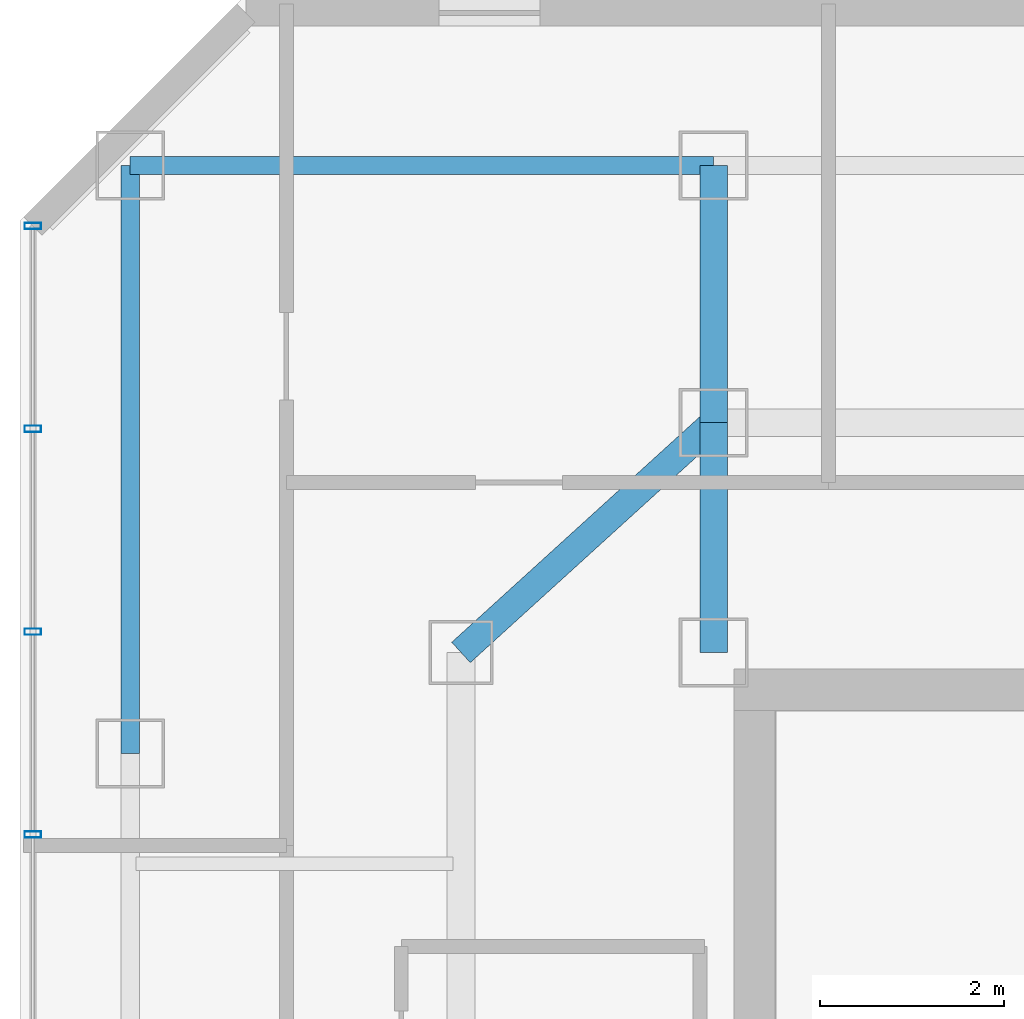
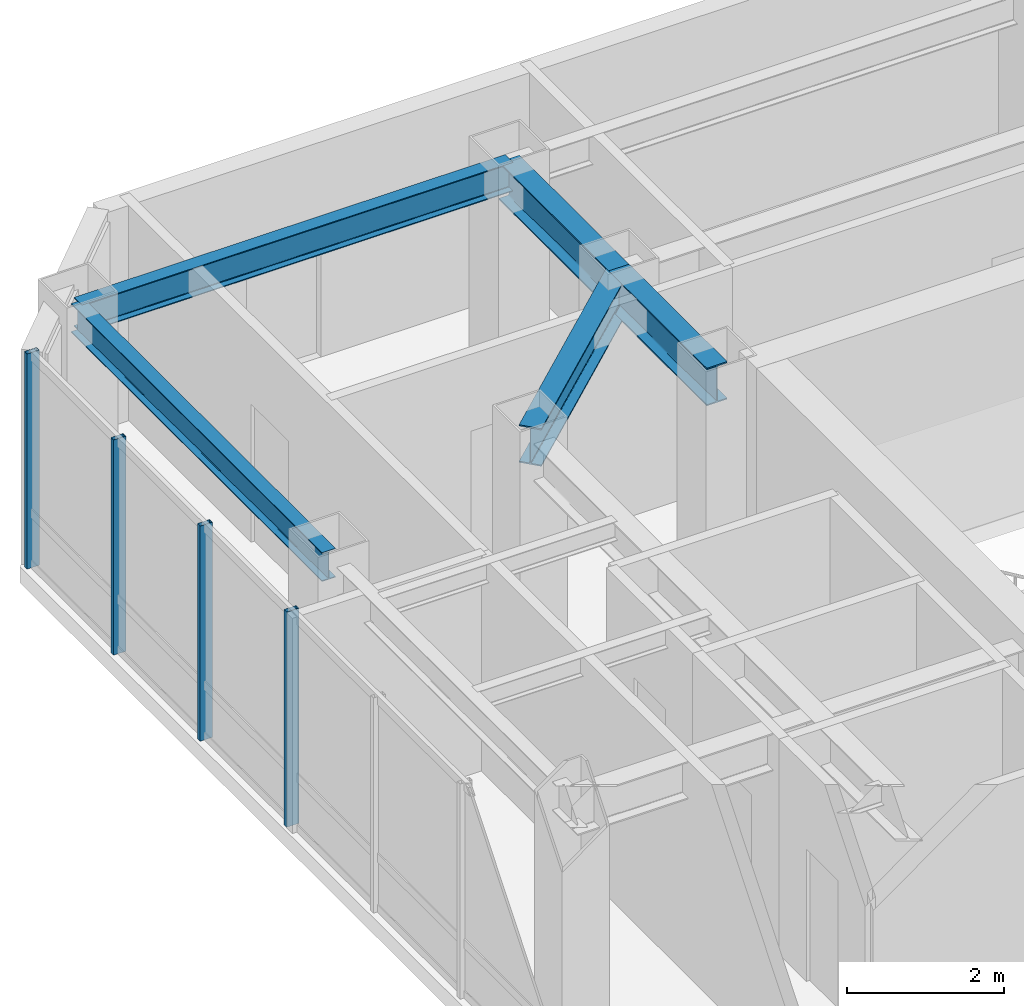
# One storey, part 15 of 24: 5 beams, 4 members, 1 element without a shape of its own.
"""IFC4 building model written with IfcOpenShell, lengths in metres."""

from ifc_helpers import new_model, si_unit, direction, frame, origin, origin_2d, place, context, subcontext, project, spatial, hollow_rectangle, i_section, extrude, material, layer, layer_set, material_profile, profile_set, type_object, element, aggregate, save


model = new_model("IFC4")

# Units and contexts
model_context = context("Model", 3, precision=1e-05, world=origin(), true_north=direction((0.0, 1.0)))
body_context = subcontext(model_context, "Body", "Model", "MODEL_VIEW")
ifc_project = project(units=[si_unit("LENGTHUNIT", "METRE"), si_unit("AREAUNIT", "SQUARE_METRE"), si_unit("VOLUMEUNIT", "CUBIC_METRE"), si_unit("PLANEANGLEUNIT", "RADIAN"), si_unit("MASSUNIT", "GRAM", prefix="KILO")], contexts=[model_context])

# Site, building, storey
site_placement = place(None, origin())
site = spatial("IfcSite", under=ifc_project, at=site_placement, CompositionType="ELEMENT")
building_placement = place(site_placement, origin())
building = spatial("IfcBuilding", under=site, at=building_placement, Name="Hatsunagi Terrace Concourse", CompositionType="ELEMENT")
storey_placement = place(building_placement, frame((0.0, 0.0, 202.35009765625)))
storey = spatial("IfcBuildingStorey", under=building, at=storey_placement, Name="L53", CompositionType="ELEMENT", Elevation=202.35009765625)

# Curtain wall, members
ifc_material_1 = material(Name="Anodised Aluminium Alloy 6063-T5", Category="aluminium")
ifc_layer = layer(ifc_material_1, 0.199951171875)
ifc_layer_set = layer_set([ifc_layer], Name="OfficeZone2_CW04")
curtain_wall_type = type_object("IfcCurtainWallType", Name="OfficeZone2_CW04", PredefinedType="NOTDEFINED", material=ifc_layer_set)
curtain_wall_placement = place(storey_placement, origin())
curtain_wall = element("IfcCurtainWall", 1, at=curtain_wall_placement, inside=storey, type_object=curtain_wall_type, Name="Unitised Curtain Wall CW-04 CW-L53-08", PredefinedType="NOTDEFINED")
ifc_material_2 = material(Name="Anodised Aluminium Alloy 6063-T5", Category="aluminium")
ifc_material_profile_1 = material_profile(ifc_material_2, hollow_rectangle(XDim=0.070068359375, YDim=0.179931640625, WallThickness=0.00390625, at=origin_2d()), Name="ALU-MUL-180x70x4")
ifc_profile_set_1 = profile_set([ifc_material_profile_1], Name="Anodised Aluminium Alloy 6063-T5")
member_type = type_object("IfcMemberType", Name="CurtainWallMullion_180x70", PredefinedType="MULLION", material=ifc_profile_set_1)
member_1_placement = place(storey_placement, frame((18.139892578125, 41.31689453125, 0.0), z_axis=(0.0, 0.0, 1.0), x_axis=(0.0, 1.0, 0.0)))
member_1 = element("IfcMember", 2, at=member_1_placement, type_object=member_type, Name="Curtain Wall Mullion MUL-02", PredefinedType="MULLION", context=body_context, shape_type="SweptSolid", body=[
    extrude(hollow_rectangle(XDim=0.070068359375, YDim=0.179931640625, WallThickness=0.00390625, at=origin_2d()), origin(), (0.0, 0.0, 1.0), 3.349853515625),
])
member_2_placement = place(storey_placement, frame((18.139892578125, 43.52490234375, 0.0), z_axis=(0.0, 0.0, 1.0), x_axis=(0.0, 1.0, 0.0)))
member_2 = element("IfcMember", 3, at=member_2_placement, type_object=member_type, Name="Curtain Wall Mullion MUL-02", PredefinedType="MULLION", context=body_context, shape_type="SweptSolid", body=[
    extrude(hollow_rectangle(XDim=0.070068359375, YDim=0.179931640625, WallThickness=0.00390625, at=origin_2d()), origin(), (0.0, 0.0, 1.0), 3.349853515625),
])
member_3_placement = place(storey_placement, frame((18.139892578125, 45.73388671875, 0.0), z_axis=(0.0, 0.0, 1.0), x_axis=(0.0, 1.0, 0.0)))
member_3 = element("IfcMember", 4, at=member_3_placement, type_object=member_type, Name="Curtain Wall Mullion MUL-02", PredefinedType="MULLION", context=body_context, shape_type="SweptSolid", body=[
    extrude(hollow_rectangle(XDim=0.070068359375, YDim=0.179931640625, WallThickness=0.00390625, at=origin_2d()), origin(), (0.0, 0.0, 1.0), 3.349853515625),
])
member_4_placement = place(storey_placement, frame((18.139892578125, 47.94189453125, 0.0), z_axis=(0.0, 0.0, 1.0), x_axis=(0.0, 1.0, 0.0)))
member_4 = element("IfcMember", 5, at=member_4_placement, type_object=member_type, Name="Curtain Wall Mullion MUL-02", PredefinedType="MULLION", context=body_context, shape_type="SweptSolid", body=[
    extrude(hollow_rectangle(XDim=0.070068359375, YDim=0.179931640625, WallThickness=0.00390625, at=origin_2d()), origin(), (0.0, 0.0, 1.0), 3.349853515625),
])
aggregate(curtain_wall, [member_1, member_2, member_3, member_4])

# Beams
ifc_material_3 = material(Name="Steel SN490B", Category="steel")
ifc_material_profile_2 = material_profile(ifc_material_3, i_section(OverallWidth=0.300048828125, OverallDepth=0.587890625, WebThickness=0.011962890625, FlangeThickness=0.02001953125, FilletRadius=0.01806640625, at=origin_2d()), Name="H-588x300x12x20")
ifc_profile_set_2 = profile_set([ifc_material_profile_2], Name="Steel SN490B")
beam_type_1 = type_object("IfcBeamType", Name="OfficeHighGirder_H_588x300", PredefinedType="BEAM", material=ifc_profile_set_2)
beam_1_placement = place(storey_placement, frame((25.550048828125, 43.300048828125, 3.055908203125), z_axis=(0.0, 1.0, 0.0), x_axis=(-1.0, 0.0, 0.0)))
element("IfcBeam", 6, at=beam_1_placement, inside=storey, type_object=beam_type_1, Name="Beam G-06 BM-L53-CN1", PredefinedType="BEAM", context=body_context, shape_type="SweptSolid", body=[
    extrude(i_section(OverallWidth=0.300048828125, OverallDepth=0.587890625, WebThickness=0.011962890625, FlangeThickness=0.02001953125, FilletRadius=0.01806640625, at=origin_2d()), origin(), (0.0, 0.0, 1.0), 2.5),
])
beam_2_placement = place(storey_placement, frame((25.550048828125, 45.800048828125, 3.055908203125), z_axis=(0.0, 1.0, 0.0), x_axis=(-1.0, 0.0, 0.0)))
element("IfcBeam", 7, at=beam_2_placement, inside=storey, type_object=beam_type_1, Name="Beam G-06 BM-L53-KN-WN4", PredefinedType="BEAM", context=body_context, shape_type="SweptSolid", body=[
    extrude(i_section(OverallWidth=0.300048828125, OverallDepth=0.587890625, WebThickness=0.011962890625, FlangeThickness=0.02001953125, FilletRadius=0.01806640625, at=origin_2d()), origin(), (0.0, 0.0, 1.0), 2.800048828125),
])
beam_3_placement = place(storey_placement, frame((22.800048828125, 43.300048828125, 3.055908203125), z_axis=(0.739940073396, 0.672672793996, 0.0), x_axis=(-0.672672793996, 0.739940073396, 0.0)))
element("IfcBeam", 8, at=beam_3_placement, inside=storey, type_object=beam_type_1, Name="Beam G-06 BM-L53-CWEW-N", PredefinedType="BEAM", context=body_context, shape_type="SweptSolid", body=[
    extrude(i_section(OverallWidth=0.300048828125, OverallDepth=0.587890625, WebThickness=0.011962890625, FlangeThickness=0.02001953125, FilletRadius=0.01806640625, at=origin_2d()), origin(), (0.0, 0.0, 1.0), 3.716552734375),
])
ifc_material_4 = material(Name="Steel SN490B", Category="steel")
ifc_material_profile_3 = material_profile(ifc_material_4, i_section(OverallWidth=0.199951171875, OverallDepth=0.449951171875, WebThickness=0.009033203125, FlangeThickness=0.013916015625, FilletRadius=0.01611328125, at=origin_2d()), Name="H-450x200x9x14")
ifc_profile_set_3 = profile_set([ifc_material_profile_3], Name="Steel SN490B")
beam_type_2 = type_object("IfcBeamType", Name="PerimeterSpandrel_H_450x200", PredefinedType="SPANDREL", material=ifc_profile_set_3)
beam_4_placement = place(storey_placement, frame((19.199951171875, 48.60009765625, 3.125), z_axis=(1.0, 0.0, 0.0), x_axis=(0.0, 1.0, 0.0)))
element("IfcBeam", 9, at=beam_4_placement, inside=storey, type_object=beam_type_2, Name="Beam SP-02 BM-L53-WN-19", PredefinedType="SPANDREL", context=body_context, shape_type="SweptSolid", body=[
    extrude(i_section(OverallWidth=0.199951171875, OverallDepth=0.449951171875, WebThickness=0.009033203125, FlangeThickness=0.013916015625, FilletRadius=0.01611328125, at=origin_2d()), origin(), (0.0, 0.0, 1.0), 6.35009765625),
])
beam_5_placement = place(storey_placement, frame((19.199951171875, 42.199951171875, 3.125), z_axis=(0.0, 1.0, 0.0), x_axis=(-1.0, 0.0, 0.0)))
element("IfcBeam", 10, at=beam_5_placement, inside=storey, type_object=beam_type_2, Name="Beam SP-02 BM-L53-NS-19-42", PredefinedType="SPANDREL", context=body_context, shape_type="SweptSolid", body=[
    extrude(i_section(OverallWidth=0.199951171875, OverallDepth=0.449951171875, WebThickness=0.009033203125, FlangeThickness=0.013916015625, FilletRadius=0.01611328125, at=origin_2d()), origin(), (0.0, 0.0, 1.0), 6.400146484375),
])

save(model, "model.ifc")
